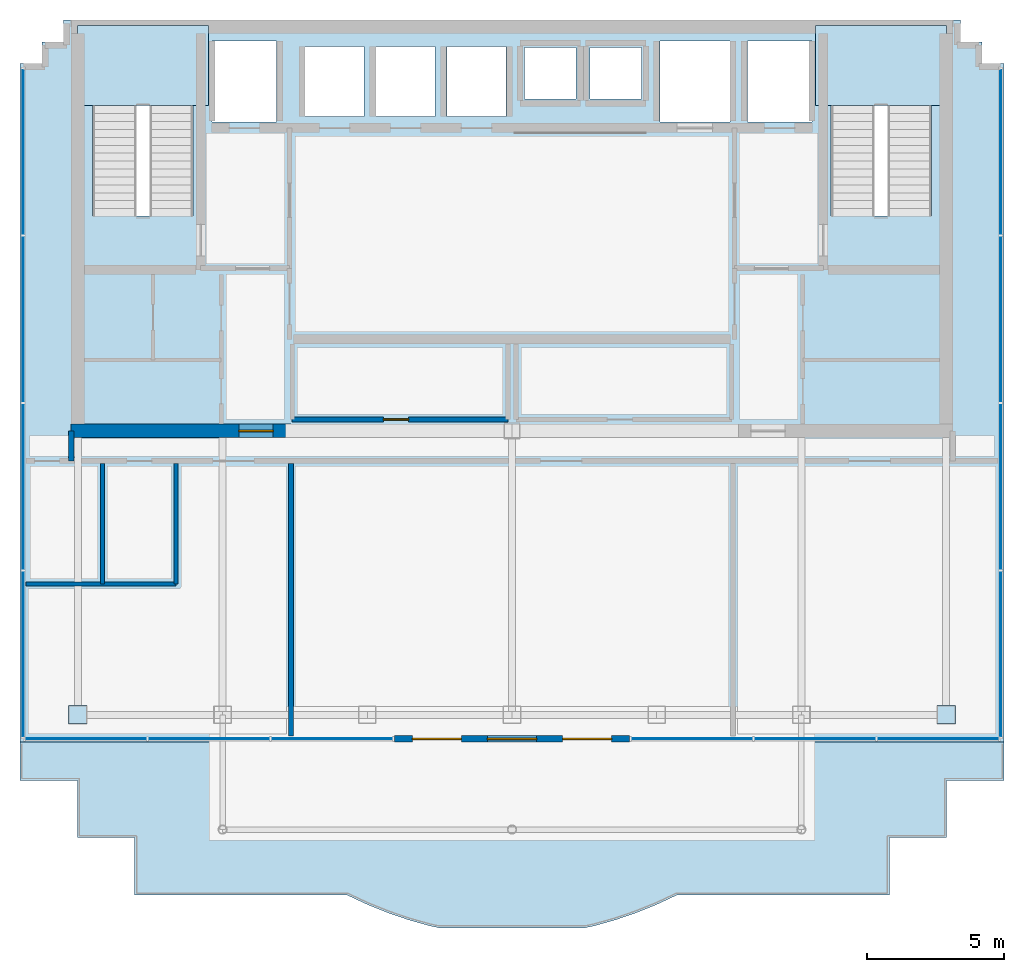
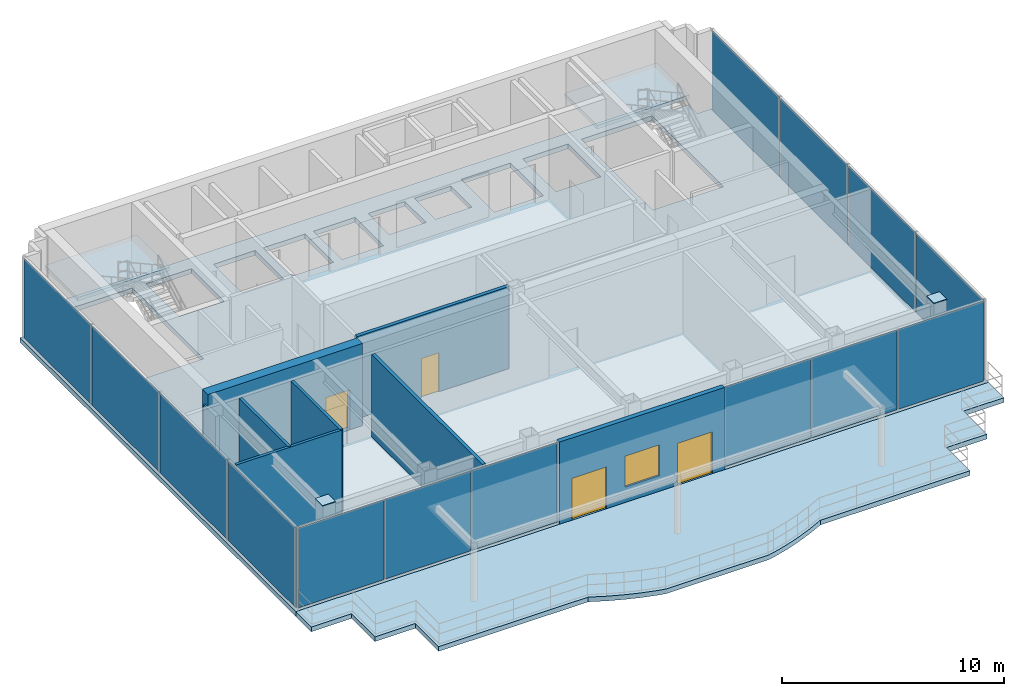
# One storey, part 4 of 11: 16 plates, 8 walls, 4 doors, 4 slabs, 1 window, 5 openings, 6 elements without a shape of their own.
"""IFC4 building model written with IfcOpenShell, lengths in metres."""

from ifc_helpers import new_model, si_unit, direction, frame, frame_2d, origin, origin_2d, place, context, subcontext, project, spatial, polyline, rectangle, outline, extrude, source, transform, mapped, material, layer, layer_set, type_object, element, fill, aggregate, save


model = new_model("IFC4")

# Units and contexts
model_context = context("Model", 3, precision=1e-05, world=origin(), true_north=direction((0.0, 1.0)))
body_context = subcontext(model_context, "Body", "Model", "MODEL_VIEW")
ifc_project = project(units=[si_unit("LENGTHUNIT", "METRE"), si_unit("AREAUNIT", "SQUARE_METRE"), si_unit("VOLUMEUNIT", "CUBIC_METRE"), si_unit("PLANEANGLEUNIT", "RADIAN"), si_unit("MASSUNIT", "GRAM", prefix="KILO")], contexts=[model_context])

# Site, building, storey
site_placement = place(None, origin())
site = spatial("IfcSite", under=ifc_project, at=site_placement, CompositionType="ELEMENT")
building_placement = place(site_placement, origin())
building = spatial("IfcBuilding", under=site, at=building_placement, Name="Qianlan Lanfeng Residences", CompositionType="ELEMENT")
storey_placement = place(building_placement, frame((0.0, 0.0, 266.0)))
storey = spatial("IfcBuildingStorey", under=building, at=storey_placement, Name="L74", CompositionType="ELEMENT", Elevation=266.0)

# Slab
ifc_material_1 = material(Name="Concrete C49", Category="concrete")
ifc_layer_1 = layer(ifc_material_1, 0.260009765625)
ifc_layer_set_1 = layer_set([ifc_layer_1], Name="Concrete C49")
slab_type_1 = type_object("IfcSlabType", Name="S-FL-260", PredefinedType="FLOOR", material=ifc_layer_set_1)
slab_1_placement = place(storey_placement, frame((0.0, 0.0, -0.260009765625)))
element("IfcSlab", 1, at=slab_1_placement, inside=storey, type_object=slab_type_1, Name="L74 Sky Observation Gallery Floor Slab", PredefinedType="FLOOR", context=body_context, shape_type="SweptSolid", body=[
    extrude(outline(polyline([(42.919921875, 40.25), (10.080078125, 40.25), (10.080078125, 39.449951171875), (9.280029296875, 39.449951171875), (9.280029296875, 38.64990234375), (8.47998046875, 38.64990234375), (8.47998046875, 13.800048828125), (44.52001953125, 13.800048828125), (44.52001953125, 38.64990234375), (43.719970703125, 38.64990234375), (43.719970703125, 39.449951171875), (42.919921875, 39.449951171875), (42.919921875, 40.25)]), holes=[polyline([(11.139892578125, 33.080078125), (11.139892578125, 39.5), (14.820068359375, 39.5), (14.820068359375, 33.080078125), (11.139892578125, 33.080078125)]), polyline([(38.179931640625, 33.080078125), (38.179931640625, 39.5), (41.860107421875, 39.5), (41.860107421875, 33.080078125), (38.179931640625, 33.080078125)]), polyline([(15.52001953125, 36.52001953125), (15.52001953125, 39.47998046875), (17.8798828125, 39.47998046875), (17.8798828125, 36.52001953125), (15.52001953125, 36.52001953125)]), polyline([(35.1201171875, 36.52001953125), (35.1201171875, 39.47998046875), (37.47998046875, 39.47998046875), (37.47998046875, 36.52001953125), (35.1201171875, 36.52001953125)]), polyline([(31.919921875, 36.52001953125), (31.919921875, 39.47998046875), (34.47998046875, 39.47998046875), (34.47998046875, 36.52001953125), (31.919921875, 36.52001953125)]), polyline([(18.919921875, 36.719970703125), (18.919921875, 39.280029296875), (21.080078125, 39.280029296875), (21.080078125, 36.719970703125), (18.919921875, 36.719970703125)]), polyline([(21.52001953125, 36.719970703125), (21.52001953125, 39.280029296875), (23.679931640625, 39.280029296875), (23.679931640625, 36.719970703125), (21.52001953125, 36.719970703125)]), polyline([(24.1201171875, 36.719970703125), (24.1201171875, 39.280029296875), (26.280029296875, 39.280029296875), (26.280029296875, 36.719970703125), (24.1201171875, 36.719970703125)]), polyline([(26.949951171875, 37.35009765625), (26.949951171875, 39.25), (28.85009765625, 39.25), (28.85009765625, 37.35009765625), (26.949951171875, 37.35009765625)]), polyline([(29.35009765625, 37.35009765625), (29.35009765625, 39.25), (31.25, 39.25), (31.25, 37.35009765625), (29.35009765625, 37.35009765625)])]), origin(), (0.0, 0.0, 1.0), 0.260009765625),
])

# Stair, slab
ifc_material_2 = material(Name="Concrete C42", Category="concrete")
stair_type = type_object("IfcStairType", Name="STR-MAIN", PredefinedType="HALF_TURN_STAIR", material=ifc_material_2)
stair_1_placement = place(storey_placement, origin())
stair_1 = element("IfcStair", 2, at=stair_1_placement, inside=storey, type_object=stair_type, Name="L74 Exit Stair ST-1", PredefinedType="HALF_TURN_STAIR")
ifc_layer_2 = layer(ifc_material_2, 0.179931640625)
ifc_layer_set_2 = layer_set([ifc_layer_2], Name="Concrete C42")
slab_type_2 = type_object("IfcSlabType", Name="S-LND-180", PredefinedType="LANDING", material=ifc_layer_set_2)
slab_2_placement = place(storey_placement, frame((0.0, 0.0, 2.199951171875)))
slab_2 = element("IfcSlab", 3, at=slab_2_placement, type_object=slab_type_2, Name="ST-1 landing 1", PredefinedType="LANDING", context=body_context, shape_type="SweptSolid", body=[
    extrude(outline(polyline([(10.580078125, 37.110107421875), (15.3798828125, 37.110107421875), (15.3798828125, 40.050048828125), (10.580078125, 40.050048828125), (10.580078125, 37.110107421875)])), origin(), (0.0, 0.0, 1.0), 0.199951171875),
])
aggregate(stair_1, [slab_2])

stair_2_placement = place(storey_placement, origin())
stair_2 = element("IfcStair", 4, at=stair_2_placement, inside=storey, type_object=stair_type, Name="L74 Exit Stair ST-2", PredefinedType="HALF_TURN_STAIR")
slab_3_placement = place(storey_placement, frame((0.0, 0.0, 2.199951171875)))
slab_3 = element("IfcSlab", 5, at=slab_3_placement, type_object=slab_type_2, Name="ST-2 landing 1", PredefinedType="LANDING", context=body_context, shape_type="SweptSolid", body=[
    extrude(outline(polyline([(37.6201171875, 37.110107421875), (42.419921875, 37.110107421875), (42.419921875, 40.050048828125), (37.6201171875, 40.050048828125), (37.6201171875, 37.110107421875)])), origin(), (0.0, 0.0, 1.0), 0.199951171875),
])
aggregate(stair_2, [slab_3])

# Slab
ifc_layer_3 = layer(ifc_material_1, 0.260009765625)
ifc_layer_set_3 = layer_set([ifc_layer_3], Name="Concrete C49")
slab_type_3 = type_object("IfcSlabType", Name="S-OBS-260", PredefinedType="FLOOR", material=ifc_layer_set_3)
slab_4_placement = place(storey_placement, frame((0.0, 0.0, -0.260009765625)))
element("IfcSlab", 6, at=slab_4_placement, inside=storey, type_object=slab_type_3, Name="L74 Open Lookout Terrace Slab", PredefinedType="FLOOR", context=body_context, shape_type="SweptSolid", body=[
    extrude(outline(polyline([(23.824951171875, 7.0), (29.175048828125, 7.0), (29.52001953125, 7.074951171875), (30.27490234375, 7.285888671875), (31.030029296875, 7.5439453125), (31.784912109375, 7.847900390625), (32.5400390625, 8.199951171875), (40.320068359375, 8.199951171875), (40.320068359375, 10.300048828125), (42.419921875, 10.300048828125), (42.419921875, 12.39990234375), (44.52001953125, 12.39990234375), (44.52001953125, 13.800048828125), (8.47998046875, 13.800048828125), (8.47998046875, 12.39990234375), (10.580078125, 12.39990234375), (10.580078125, 10.300048828125), (12.679931640625, 10.300048828125), (12.679931640625, 8.199951171875), (20.4599609375, 8.199951171875), (21.215087890625, 7.847900390625), (21.969970703125, 7.5439453125), (22.72509765625, 7.285888671875), (23.47998046875, 7.074951171875), (23.824951171875, 7.0)])), origin(), (0.0, 0.0, 1.0), 0.260009765625),
])

# Plates
ifc_material_3 = material(Name="Steel SM570 (420 MPa)", Category="steel")
ifc_layer_4 = layer(ifc_material_3, 0.0400390625)
ifc_layer_set_4 = layer_set([ifc_layer_4], Name="Steel SM570 (420 MPa)")
plate_type_1 = type_object("IfcPlateType", Name="PL-CAP-40", PredefinedType="USERDEFINED", material=ifc_layer_set_4)
shared_shape_1 = source(origin(), body_context, "Body", "SweptSolid", [
    extrude(rectangle(XDim=0.669921875, YDim=0.669921875, at=origin_2d()), origin(), (0.0, 0.0, 1.0), 0.0400390625),
])
for number, where, z_axis, x_axis, name in (
    (7, (10.60009765625, 14.800048828125, 4.760009765625), (0.0, 0.0, 1.0), (1.0, 0.0, 0.0), "L74 Box Column Top Closure Cap Plate M_10.60_14.80"),
    (8, (42.39990234375, 14.800048828125, 4.760009765625), (0.0, 0.0, 1.0), (1.0, 0.0, 0.0), "L74 Box Column Top Closure Cap Plate M_42.40_14.80"),
):
    element("IfcPlate", number, at=place(storey_placement, frame(where, z_axis=z_axis, x_axis=x_axis)), inside=storey, type_object=plate_type_1, Name=name, ObjectType="SPLICE_PLATE", PredefinedType="USERDEFINED", context=body_context, shape_type="MappedRepresentation", body=[
        mapped(shared_shape_1, transform((0.0, 0.0, 0.0), scale=1.0)),
    ])

# Curtain wall, plates
ifc_material_4 = material(Name="Anodised Bronze Aluminium 6063-T6", Category="aluminium")
ifc_layer_5 = layer(ifc_material_4, 0.219970703125)
ifc_layer_set_5 = layer_set([ifc_layer_5], Name="Anodised Bronze Aluminium 6063-T6")
curtain_wall_type = type_object("IfcCurtainWallType", Name="CW-06", PredefinedType="NOTDEFINED", material=ifc_layer_set_5)
curtain_wall_1_placement = place(storey_placement, origin())
curtain_wall_1 = element("IfcCurtainWall", 9, at=curtain_wall_1_placement, inside=storey, type_object=curtain_wall_type, Name="L74 Unitised Curtain Wall CWR-L74-06 (CW-06)", PredefinedType="NOTDEFINED")
ifc_material_5 = material(Name="Clear Low-E Insulated Glass", Category="glass")
ifc_layer_6 = layer(ifc_material_5, 0.035888671875)
ifc_layer_set_6 = layer_set([ifc_layer_6], Name="Clear Low-E Insulated Glass")
plate_type_2 = type_object("IfcPlateType", Name="PNL-GLZ-CLR", PredefinedType="CURTAIN_PANEL", material=ifc_layer_set_6)
shared_shape_2 = source(origin(), body_context, "Body", "SweptSolid", [
    extrude(rectangle(XDim=6.060791015625, YDim=0.035888671875, at=origin_2d()), origin(), (0.0, 0.0, 1.0), 4.3720703125),
])
plate_1_placement = place(storey_placement, frame((8.60009765625, 35.42578125, 0.073974609375), z_axis=(0.0, 0.0, 1.0), x_axis=(0.0, -1.0, 0.0)))
plate_1 = element("IfcPlate", 10, at=plate_1_placement, type_object=plate_type_2, Name="CWR-L74-06 Curtain Panel 1", PredefinedType="CURTAIN_PANEL", context=body_context, shape_type="MappedRepresentation", body=[
    mapped(shared_shape_2, transform((0.0, 0.0, 0.0), scale=1.0)),
])
plate_2_placement = place(storey_placement, frame((8.60009765625, 29.2919921875, 0.073974609375), z_axis=(0.0, 0.0, 1.0), x_axis=(0.0, -1.0, 0.0)))
plate_2 = element("IfcPlate", 11, at=plate_2_placement, type_object=plate_type_2, Name="CWR-L74-06 Curtain Panel 2", PredefinedType="CURTAIN_PANEL", context=body_context, shape_type="MappedRepresentation", body=[
    mapped(shared_shape_2, transform((0.0, 0.0, 0.0), scale=1.0)),
])
plate_3_placement = place(storey_placement, frame((8.60009765625, 23.158203125, 0.073974609375), z_axis=(0.0, 0.0, 1.0), x_axis=(0.0, -1.0, 0.0)))
plate_3 = element("IfcPlate", 12, at=plate_3_placement, type_object=plate_type_2, Name="CWR-L74-06 Curtain Panel 3", PredefinedType="CURTAIN_PANEL", context=body_context, shape_type="MappedRepresentation", body=[
    mapped(shared_shape_2, transform((0.0, 0.0, 0.0), scale=1.0)),
])
plate_4_placement = place(storey_placement, frame((8.60009765625, 17.0244140625, 0.073974609375), z_axis=(0.0, 0.0, 1.0), x_axis=(0.0, -1.0, 0.0)))
plate_4 = element("IfcPlate", 13, at=plate_4_placement, type_object=plate_type_2, Name="CWR-L74-06 Curtain Panel 4", PredefinedType="CURTAIN_PANEL", context=body_context, shape_type="MappedRepresentation", body=[
    mapped(shared_shape_2, transform((0.0, 0.0, 0.0), scale=1.0)),
])
aggregate(curtain_wall_1, [plate_1, plate_2, plate_3, plate_4])

curtain_wall_2_placement = place(storey_placement, origin())
curtain_wall_2 = element("IfcCurtainWall", 14, at=curtain_wall_2_placement, inside=storey, type_object=curtain_wall_type, Name="L74 Unitised Curtain Wall CWR-L74-08 (CW-06)", PredefinedType="NOTDEFINED")
plate_5_placement = place(storey_placement, frame((44.39990234375, 17.0244140625, 0.073974609375), z_axis=(0.0, 0.0, 1.0), x_axis=(0.0, 1.0, 0.0)))
plate_5 = element("IfcPlate", 15, at=plate_5_placement, type_object=plate_type_2, Name="CWR-L74-08 Curtain Panel 1", PredefinedType="CURTAIN_PANEL", context=body_context, shape_type="MappedRepresentation", body=[
    mapped(shared_shape_2, transform((0.0, 0.0, 0.0), scale=1.0)),
])
plate_6_placement = place(storey_placement, frame((44.39990234375, 23.158203125, 0.073974609375), z_axis=(0.0, 0.0, 1.0), x_axis=(0.0, 1.0, 0.0)))
plate_6 = element("IfcPlate", 16, at=plate_6_placement, type_object=plate_type_2, Name="CWR-L74-08 Curtain Panel 2", PredefinedType="CURTAIN_PANEL", context=body_context, shape_type="MappedRepresentation", body=[
    mapped(shared_shape_2, transform((0.0, 0.0, 0.0), scale=1.0)),
])
plate_7_placement = place(storey_placement, frame((44.39990234375, 29.2919921875, 0.073974609375), z_axis=(0.0, 0.0, 1.0), x_axis=(0.0, 1.0, 0.0)))
plate_7 = element("IfcPlate", 17, at=plate_7_placement, type_object=plate_type_2, Name="CWR-L74-08 Curtain Panel 3", PredefinedType="CURTAIN_PANEL", context=body_context, shape_type="MappedRepresentation", body=[
    mapped(shared_shape_2, transform((0.0, 0.0, 0.0), scale=1.0)),
])
plate_8_placement = place(storey_placement, frame((44.39990234375, 35.42578125, 0.073974609375), z_axis=(0.0, 0.0, 1.0), x_axis=(0.0, 1.0, 0.0)))
plate_8 = element("IfcPlate", 18, at=plate_8_placement, type_object=plate_type_2, Name="CWR-L74-08 Curtain Panel 4", PredefinedType="CURTAIN_PANEL", context=body_context, shape_type="MappedRepresentation", body=[
    mapped(shared_shape_2, transform((0.0, 0.0, 0.0), scale=1.0)),
])
aggregate(curtain_wall_2, [plate_5, plate_6, plate_7, plate_8])

curtain_wall_3_placement = place(storey_placement, origin())
curtain_wall_3 = element("IfcCurtainWall", 19, at=curtain_wall_3_placement, inside=storey, type_object=curtain_wall_type, Name="L74 Unitised Curtain Wall CWR-L74-SW (CW-06)", PredefinedType="NOTDEFINED")
shared_shape_3 = source(origin(), body_context, "Body", "SweptSolid", [
    extrude(rectangle(XDim=4.435302734375, YDim=0.035888671875, at=origin_2d()), origin(), (0.0, 0.0, 1.0), 4.3720703125),
])
plate_9_placement = place(storey_placement, frame((10.8916015625, 13.919921875, 0.073974609375), z_axis=(0.0, 0.0, 1.0), x_axis=(1.0, 0.0, 0.0)))
plate_9 = element("IfcPlate", 20, at=plate_9_placement, type_object=plate_type_2, Name="CWR-L74-SW Curtain Panel 1", PredefinedType="CURTAIN_PANEL", context=body_context, shape_type="MappedRepresentation", body=[
    mapped(shared_shape_3, transform((0.0, 0.0, 0.0), scale=1.0)),
])
plate_10_placement = place(storey_placement, frame((15.39990234375, 13.919921875, 0.073974609375), z_axis=(0.0, 0.0, 1.0), x_axis=(1.0, 0.0, 0.0)))
plate_10 = element("IfcPlate", 21, at=plate_10_placement, type_object=plate_type_2, Name="CWR-L74-SW Curtain Panel 2", PredefinedType="CURTAIN_PANEL", context=body_context, shape_type="MappedRepresentation", body=[
    mapped(shared_shape_3, transform((0.0, 0.0, 0.0), scale=1.0)),
])
plate_11_placement = place(storey_placement, frame((19.908203125, 13.919921875, 0.073974609375), z_axis=(0.0, 0.0, 1.0), x_axis=(1.0, 0.0, 0.0)))
plate_11 = element("IfcPlate", 22, at=plate_11_placement, type_object=plate_type_2, Name="CWR-L74-SW Curtain Panel 3", PredefinedType="CURTAIN_PANEL", context=body_context, shape_type="MappedRepresentation", body=[
    mapped(shared_shape_3, transform((0.0, 0.0, 0.0), scale=1.0)),
])
aggregate(curtain_wall_3, [plate_9, plate_10, plate_11])

curtain_wall_4_placement = place(storey_placement, origin())
curtain_wall_4 = element("IfcCurtainWall", 23, at=curtain_wall_4_placement, inside=storey, type_object=curtain_wall_type, Name="L74 Unitised Curtain Wall CWR-L74-SE (CW-06)", PredefinedType="NOTDEFINED")
plate_12_placement = place(storey_placement, frame((33.091796875, 13.919921875, 0.073974609375), z_axis=(0.0, 0.0, 1.0), x_axis=(1.0, 0.0, 0.0)))
plate_12 = element("IfcPlate", 24, at=plate_12_placement, type_object=plate_type_2, Name="CWR-L74-SE Curtain Panel 1", PredefinedType="CURTAIN_PANEL", context=body_context, shape_type="MappedRepresentation", body=[
    mapped(shared_shape_3, transform((0.0, 0.0, 0.0), scale=1.0)),
])
plate_13_placement = place(storey_placement, frame((37.60009765625, 13.919921875, 0.073974609375), z_axis=(0.0, 0.0, 1.0), x_axis=(1.0, 0.0, 0.0)))
plate_13 = element("IfcPlate", 25, at=plate_13_placement, type_object=plate_type_2, Name="CWR-L74-SE Curtain Panel 2", PredefinedType="CURTAIN_PANEL", context=body_context, shape_type="MappedRepresentation", body=[
    mapped(shared_shape_3, transform((0.0, 0.0, 0.0), scale=1.0)),
])
plate_14_placement = place(storey_placement, frame((42.1083984375, 13.919921875, 0.073974609375), z_axis=(0.0, 0.0, 1.0), x_axis=(1.0, 0.0, 0.0)))
plate_14 = element("IfcPlate", 26, at=plate_14_placement, type_object=plate_type_2, Name="CWR-L74-SE Curtain Panel 3", PredefinedType="CURTAIN_PANEL", context=body_context, shape_type="MappedRepresentation", body=[
    mapped(shared_shape_3, transform((0.0, 0.0, 0.0), scale=1.0)),
])
aggregate(curtain_wall_4, [plate_12, plate_13, plate_14])

# Wall, opening, door
ifc_material_6 = material(Name="Concrete C70", Category="concrete")
ifc_layer_7 = layer(ifc_material_6, 0.5)
ifc_layer_set_7 = layer_set([ifc_layer_7], Name="Concrete C70")
wall_type_1 = type_object("IfcWallType", Name="CW-RC-500", PredefinedType="SHEAR", material=ifc_layer_set_7)
wall_1_placement = place(storey_placement, frame((10.35009765625, 25.199951171875, 0.0), z_axis=(0.0, 0.0, 1.0), x_axis=(1.0, 0.0, 0.0)))
wall_1 = element("IfcWall", 27, at=wall_1_placement, inside=storey, type_object=wall_type_1, Name="L74 Core Shear Wall SW", PredefinedType="SHEAR", context=body_context, shape_type="SweptSolid", body=[
    extrude(rectangle(XDim=8.0498046875, YDim=0.5, at=frame_2d((4.02490234375, 0.0))), origin(), (0.0, 0.0, 1.0), 4.52001953125),
])
opening_1_placement = place(wall_1_placement, frame((6.14990234375, 0.0, 0.0)))
opening_1 = element("IfcOpeningElement", 28, at=opening_1_placement, cuts=wall_1, Name="Opening L74-D01", PredefinedType="OPENING", context=body_context, shape_type="SweptSolid", body=[
    extrude(rectangle(XDim=1.25, YDim=2.199951171875, at=frame_2d((0.625, 1.10009765625))), frame((0.0, 0.260009765625, 0.0), z_axis=(0.0, -1.0, 0.0), x_axis=(1.0, 0.0, 0.0)), (0.0, 0.0, 1.0), 0.52001953125),
])
ifc_material_7 = material(Name="Painted Galvanised Steel Fire Door", Category="steel")
door_type_1 = type_object("IfcDoorType", Name="DT-FFL", OperationType="NOTDEFINED", PredefinedType="DOOR", material=ifc_material_7)
door_1_placement = place(opening_1_placement, origin())
door_1 = element("IfcDoor", 29, at=door_1_placement, inside=storey, type_object=door_type_1, Name="L74 West Core Lobby Smoke Door L74-D01 (DT-FFL)", OperationType="SINGLE_SWING_RIGHT", OverallHeight=2.199951171875, OverallWidth=1.25, PredefinedType="DOOR", context=body_context, shape_type="SweptSolid", body=[
    extrude(rectangle(XDim=1.25, YDim=2.199951171875, at=frame_2d((0.625, 1.10009765625))), frame((0.0, 0.02490234375, 0.0), z_axis=(0.0, -1.0, 0.0), x_axis=(1.0, 0.0, 0.0)), (0.0, 0.0, 1.0), 0.050048828125),
])
fill(opening_1, door_1)

# Wall, openings, doors, window
ifc_layer_8 = layer(ifc_material_2, 0.239990234375)
ifc_layer_set_8 = layer_set([ifc_layer_8], Name="Concrete C42")
wall_type_2 = type_object("IfcWallType", Name="EW-240", PredefinedType="SOLIDWALL", material=ifc_layer_set_8)
wall_2_placement = place(storey_placement, frame((22.199951171875, 13.919921875, 0.0), z_axis=(0.0, 0.0, 1.0), x_axis=(1.0, 0.0, 0.0)))
wall_2 = element("IfcWall", 30, at=wall_2_placement, inside=storey, type_object=wall_type_2, Name="L74 Observation Pavilion South Threshold Wall", PredefinedType="SOLIDWALL", context=body_context, shape_type="SweptSolid", body=[
    extrude(rectangle(XDim=8.60009765625, YDim=0.239990234375, at=frame_2d((4.300048828125, 0.0))), origin(), (0.0, 0.0, 1.0), 4.52001953125),
])
opening_2_placement = place(wall_2_placement, frame((0.64990234375, 0.0, 0.0)))
opening_2 = element("IfcOpeningElement", 31, at=opening_2_placement, cuts=wall_2, Name="Opening L74-D-OBS1", PredefinedType="OPENING", context=body_context, shape_type="SweptSolid", body=[
    extrude(rectangle(XDim=1.800048828125, YDim=2.300048828125, at=frame_2d((0.89990234375, 1.14990234375))), frame((0.0, 0.1298828125, 0.0), z_axis=(0.0, -1.0, 0.0), x_axis=(1.0, 0.0, 0.0)), (0.0, 0.0, 1.0), 0.260009765625),
])
opening_3_placement = place(wall_2_placement, frame((6.14990234375, 0.0, 0.0)))
opening_3 = element("IfcOpeningElement", 32, at=opening_3_placement, cuts=wall_2, Name="Opening L74-D-OBS2", PredefinedType="OPENING", context=body_context, shape_type="SweptSolid", body=[
    extrude(rectangle(XDim=1.800048828125, YDim=2.300048828125, at=frame_2d((0.89990234375, 1.14990234375))), frame((0.0, 0.1298828125, 0.0), z_axis=(0.0, -1.0, 0.0), x_axis=(1.0, 0.0, 0.0)), (0.0, 0.0, 1.0), 0.260009765625),
])
opening_4_placement = place(wall_2_placement, frame((3.39990234375, 0.0, 0.85009765625)))
opening_4 = element("IfcOpeningElement", 33, at=opening_4_placement, cuts=wall_2, Name="Opening W-01", PredefinedType="OPENING", context=body_context, shape_type="SweptSolid", body=[
    extrude(rectangle(XDim=1.800048828125, YDim=1.699951171875, at=frame_2d((0.89990234375, 0.85009765625))), frame((0.0, 0.1298828125, 0.0), z_axis=(0.0, -1.0, 0.0), x_axis=(1.0, 0.0, 0.0)), (0.0, 0.0, 1.0), 0.260009765625),
])
ifc_material_8 = material(Name="Anodised Bronze Aluminium Framed Glass", Category="aluminium")
door_type_2 = type_object("IfcDoorType", Name="DT-OBS1", OperationType="NOTDEFINED", PredefinedType="DOOR", material=ifc_material_8)
door_2_placement = place(opening_2_placement, frame((1.800048828125, 0.0, 0.0), z_axis=(0.0, 0.0, 1.0), x_axis=(-1.0, 0.0, 0.0)))
door_2 = element("IfcDoor", 34, at=door_2_placement, inside=storey, type_object=door_type_2, Name="L74 Sky Observation Terrace Door 1", OperationType="DOUBLE_DOOR_SINGLE_SWING", OverallHeight=2.300048828125, OverallWidth=1.800048828125, PredefinedType="DOOR", context=body_context, shape_type="SweptSolid", body=[
    extrude(rectangle(XDim=1.800048828125, YDim=2.300048828125, at=frame_2d((0.89990234375, 1.14990234375))), frame((0.0, 0.02490234375, 0.0), z_axis=(0.0, -1.0, 0.0), x_axis=(1.0, 0.0, 0.0)), (0.0, 0.0, 1.0), 0.050048828125),
])
fill(opening_2, door_2)
door_3_placement = place(opening_3_placement, frame((1.800048828125, 0.0, 0.0), z_axis=(0.0, 0.0, 1.0), x_axis=(-1.0, 0.0, 0.0)))
door_3 = element("IfcDoor", 35, at=door_3_placement, inside=storey, type_object=door_type_2, Name="L74 Sky Observation Terrace Door 2", OperationType="DOUBLE_DOOR_SINGLE_SWING", OverallHeight=2.300048828125, OverallWidth=1.800048828125, PredefinedType="DOOR", context=body_context, shape_type="SweptSolid", body=[
    extrude(rectangle(XDim=1.800048828125, YDim=2.300048828125, at=frame_2d((0.89990234375, 1.14990234375))), frame((0.0, 0.02490234375, 0.0), z_axis=(0.0, -1.0, 0.0), x_axis=(1.0, 0.0, 0.0)), (0.0, 0.0, 1.0), 0.050048828125),
])
fill(opening_3, door_3)
ifc_material_9 = material(Name="Anodised Bronze Aluminium Framed Double Glazing", Category="aluminium")
window_type = type_object("IfcWindowType", Name="W-01", PartitioningType="SINGLE_PANEL", PredefinedType="WINDOW", material=ifc_material_9)
window_placement = place(opening_4_placement, origin())
window = element("IfcWindow", 36, at=window_placement, inside=storey, type_object=window_type, Name="L74 Observation Pavilion Harbour Window", OverallHeight=1.699951171875, OverallWidth=1.800048828125, PartitioningType="SINGLE_PANEL", PredefinedType="WINDOW", context=body_context, shape_type="SweptSolid", body=[
    extrude(rectangle(XDim=1.800048828125, YDim=1.699951171875, at=frame_2d((0.89990234375, 0.85009765625))), frame((0.0, 0.030029296875, 0.0), z_axis=(0.0, -1.0, 0.0), x_axis=(1.0, 0.0, 0.0)), (0.0, 0.0, 1.0), 0.06005859375),
])
fill(opening_4, window)

# Walls
ifc_material_10 = material(Name="Acoustic Drywall Partition 150 mm")
ifc_layer_9 = layer(ifc_material_10, 0.14990234375)
ifc_layer_set_9 = layer_set([ifc_layer_9], Name="Acoustic Drywall Partition 150 mm")
wall_type_3 = type_object("IfcWallType", Name="PW-150", PredefinedType="PARTITIONING", material=ifc_layer_set_9)
wall_3_placement = place(storey_placement, frame((14.199951171875, 19.60009765625, 0.0), z_axis=(0.0, 0.0, 1.0), x_axis=(0.0, 1.0, 0.0)))
element("IfcWall", 37, at=wall_3_placement, inside=storey, type_object=wall_type_3, Name="L74 Restroom East Wall", PredefinedType="PARTITIONING", context=body_context, shape_type="SweptSolid", body=[
    extrude(rectangle(XDim=4.39990234375, YDim=0.14990234375, at=frame_2d((2.199951171875, 0.0))), origin(), (0.0, 0.0, 1.0), 4.52001953125),
])
wall_4_placement = place(storey_placement, frame((8.699951171875, 19.60009765625, 0.0), z_axis=(0.0, 0.0, 1.0), x_axis=(1.0, 0.0, 0.0)))
element("IfcWall", 38, at=wall_4_placement, inside=storey, type_object=wall_type_3, Name="L74 Restroom South Wall", PredefinedType="PARTITIONING", context=body_context, shape_type="SweptSolid", body=[
    extrude(rectangle(XDim=5.5, YDim=0.14990234375, at=frame_2d((2.75, 0.0))), origin(), (0.0, 0.0, 1.0), 4.52001953125),
])
wall_5_placement = place(storey_placement, frame((11.5, 19.60009765625, 0.0), z_axis=(0.0, 0.0, 1.0), x_axis=(0.0, 1.0, 0.0)))
element("IfcWall", 39, at=wall_5_placement, inside=storey, type_object=wall_type_3, Name="L74 Restroom Split Wall", PredefinedType="PARTITIONING", context=body_context, shape_type="SweptSolid", body=[
    extrude(rectangle(XDim=4.39990234375, YDim=0.14990234375, at=frame_2d((2.199951171875, 0.0))), origin(), (0.0, 0.0, 1.0), 4.52001953125),
])

# Wall, opening, door
ifc_material_11 = material(Name="Double-Layer Acoustic Gypsum Stud Wall 180 mm")
ifc_layer_10 = layer(ifc_material_11, 0.179931640625)
ifc_layer_set_10 = layer_set([ifc_layer_10], Name="Double-Layer Acoustic Gypsum Stud Wall 180 mm")
wall_type_4 = type_object("IfcWallType", Name="PW-180", PredefinedType="PARTITIONING", material=ifc_layer_set_10)
wall_6_placement = place(storey_placement, frame((18.449951171875, 25.6201171875, 0.0), z_axis=(0.0, 0.0, 1.0), x_axis=(1.0, 0.0, 0.0)))
wall_6 = element("IfcWall", 40, at=wall_6_placement, inside=storey, type_object=wall_type_4, Name="L74 Reclaimed Low-Bank Room South Wall", PredefinedType="PARTITIONING", context=body_context, shape_type="SweptSolid", body=[
    extrude(rectangle(XDim=7.900146484375, YDim=0.179931640625, at=frame_2d((3.9501953125, 0.0))), origin(), (0.0, 0.0, 1.0), 4.52001953125),
])
opening_5_placement = place(wall_6_placement, frame((3.340087890625, 0.0, 0.0)))
opening_5 = element("IfcOpeningElement", 41, at=opening_5_placement, cuts=wall_6, Name="Opening L74-D16", PredefinedType="OPENING", context=body_context, shape_type="SweptSolid", body=[
    extrude(rectangle(XDim=0.919921875, YDim=2.14990234375, at=frame_2d((0.4599609375, 1.074951171875))), frame((0.0, 0.10009765625, 0.0), z_axis=(0.0, -1.0, 0.0), x_axis=(1.0, 0.0, 0.0)), (0.0, 0.0, 1.0), 0.199951171875),
])
ifc_material_12 = material(Name="Glazed Timber Kitchen/Study Door", Category="wood")
door_type_3 = type_object("IfcDoorType", Name="DT-INT", OperationType="NOTDEFINED", PredefinedType="DOOR", material=ifc_material_12)
door_4_placement = place(opening_5_placement, origin())
door_4 = element("IfcDoor", 42, at=door_4_placement, inside=storey, type_object=door_type_3, Name="L74 Reclaimed Core Salon Door L74-D16 (DT-INT)", OperationType="SINGLE_SWING_LEFT", OverallHeight=2.14990234375, OverallWidth=0.919921875, PredefinedType="DOOR", context=body_context, shape_type="SweptSolid", body=[
    extrude(rectangle(XDim=0.919921875, YDim=2.14990234375, at=frame_2d((0.4599609375, 1.074951171875))), frame((0.0, 0.02490234375, 0.0), z_axis=(0.0, -1.0, 0.0), x_axis=(1.0, 0.0, 0.0)), (0.0, 0.0, 1.0), 0.050048828125),
])
fill(opening_5, door_4)

# Walls
wall_7_placement = place(storey_placement, frame((18.39990234375, 14.02001953125, 0.0), z_axis=(0.0, 0.0, 1.0), x_axis=(0.0, 1.0, 0.0)))
element("IfcWall", 43, at=wall_7_placement, inside=storey, type_object=wall_type_4, Name="L74 West Gallery Partition", PredefinedType="PARTITIONING", context=body_context, shape_type="SweptSolid", body=[
    extrude(rectangle(XDim=9.97998046875, YDim=0.179931640625, at=frame_2d((4.989990234375, 0.0))), origin(), (0.0, 0.0, 1.0), 4.52001953125),
])
ifc_material_13 = material(Name="Autoclaved Aerated Concrete Blockwork 200 mm", Category="masonry")
ifc_layer_11 = layer(ifc_material_13, 0.199951171875)
ifc_layer_set_11 = layer_set([ifc_layer_11], Name="Autoclaved Aerated Concrete Blockwork 200 mm")
wall_type_5 = type_object("IfcWallType", Name="PW-200", PredefinedType="PARTITIONING", material=ifc_layer_set_11)
wall_8_placement = place(storey_placement, frame((10.35009765625, 24.10009765625, 0.0), z_axis=(0.0, 0.0, 1.0), x_axis=(0.0, 1.0, 0.0)))
element("IfcWall", 44, at=wall_8_placement, inside=storey, type_object=wall_type_5, Name="L74 NW Core Return Wall", PredefinedType="PARTITIONING", context=body_context, shape_type="SweptSolid", body=[
    extrude(rectangle(XDim=1.099853515625, YDim=0.199951171875, at=frame_2d((0.5498046875, 0.0))), origin(), (0.0, 0.0, 1.0), 3.864990234375),
])

save(model, "model.ifc")
